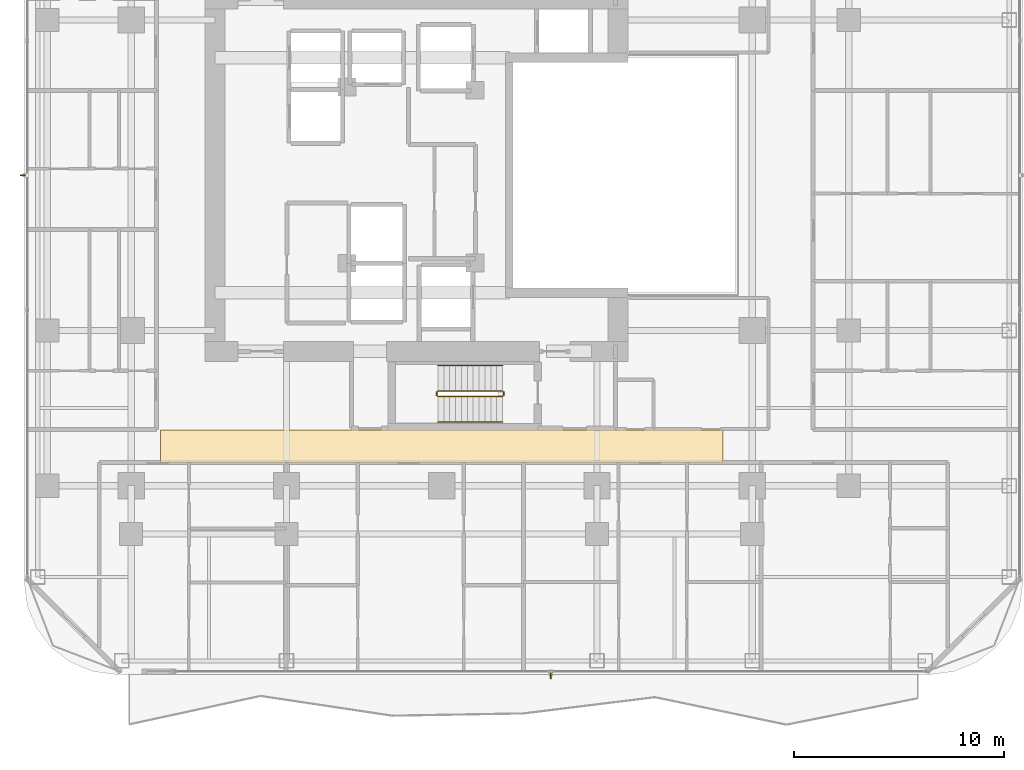
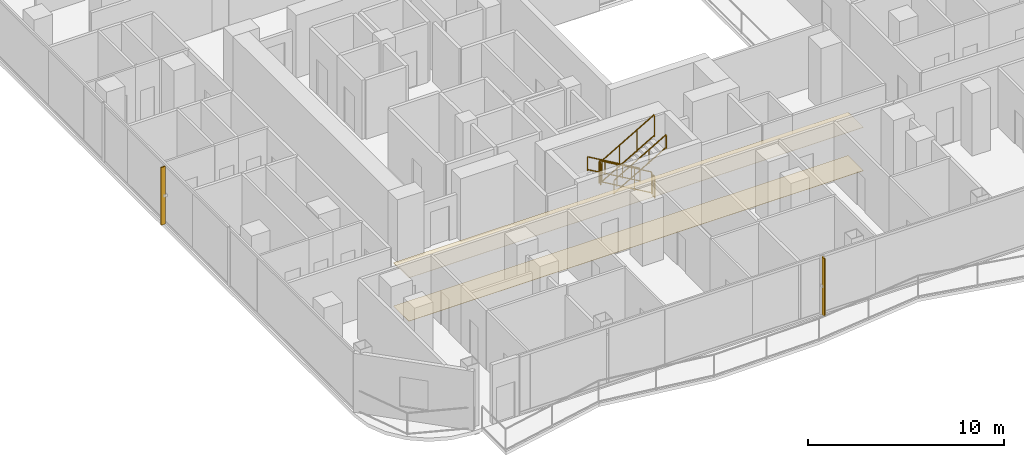
# One storey, part 25 of 29: 6 railings, 2 coverings, 2 shading devices.
"""IFC4 building model written with IfcOpenShell, lengths in metres."""

from ifc_helpers import new_model, si_unit, direction, frame, origin, origin_2d, place, context, subcontext, project, spatial, polyline, rectangle, outline, extrude, material, layer, layer_set, type_object, element, save


model = new_model("IFC4")

# Units and contexts
model_context = context("Model", 3, precision=1e-05, world=origin(), true_north=direction((0.0, 1.0)))
body_context = subcontext(model_context, "Body", "Model", "MODEL_VIEW")
ifc_project = project(units=[si_unit("LENGTHUNIT", "METRE"), si_unit("AREAUNIT", "SQUARE_METRE"), si_unit("VOLUMEUNIT", "CUBIC_METRE"), si_unit("PLANEANGLEUNIT", "RADIAN"), si_unit("MASSUNIT", "GRAM", prefix="KILO")], contexts=[model_context])

# Site, building, storey
site_placement = place(None, origin())
site = spatial("IfcSite", under=ifc_project, at=site_placement, CompositionType="ELEMENT")
building_placement = place(site_placement, origin())
building = spatial("IfcBuilding", under=site, at=building_placement, Name="Khorvyn Point Tower", CompositionType="ELEMENT")
storey_placement = place(building_placement, frame((0.0, 0.0, 144.60009765625)))
storey = spatial("IfcBuildingStorey", under=building, at=storey_placement, Name="L36", CompositionType="ELEMENT", Elevation=144.60009765625)

# Shading devices
ifc_material_1 = material(Name="Pale anodised aluminium 6063-T6", Category="aluminium")
ifc_layer_1 = layer(ifc_material_1, 0.054931640625)
ifc_layer_set_1 = layer_set([ifc_layer_1], Name="Pale Anodised Aluminium FIN 260x55")
shading_device_type = type_object("IfcShadingDeviceType", Name="Pale Anodised Aluminium FIN 260x55", PredefinedType="USERDEFINED", material=ifc_layer_set_1)
for number, where, z_axis, x_axis, name in (
    (1, (5.1904296875, -23.8701171875, 0.039794921875), (0.0, 0.0, 1.0), (0.0, -1.0, 0.0), "L36 Anodised FIN 01"),
    (2, (-19.969970703125, 0.0, 0.039794921875), (0.0, 0.0, 1.0), (-1.0, 0.0, 0.0), "L36 Anodised FIN 01"),
):
    element("IfcShadingDevice", number, at=place(storey_placement, frame(where, z_axis=z_axis, x_axis=x_axis)), inside=storey, type_object=shading_device_type, Name=name, ObjectType="FIN", PredefinedType="USERDEFINED", context=body_context, shape_type="SweptSolid", body=[
        extrude(rectangle(XDim=0.260009765625, YDim=0.054931640625, at=origin_2d()), origin(), (0.0, 0.0, 1.0), 3.60009765625),
    ])

# Coverings
ifc_material_2 = material(Name="Mineral-fibre acoustic ceiling board", Category="gypsum")
ifc_layer_2 = layer(ifc_material_2, 0.02001953125)
ifc_layer_set_2 = layer_set([ifc_layer_2], Name="Perforated Mineral-Fibre Acoustic Suspended Ceiling 20")
covering_type_1 = type_object("IfcCoveringType", Name="Perforated Mineral-Fibre Acoustic Suspended Ceiling 20", PredefinedType="CEILING", material=ifc_layer_set_2)
covering_1_placement = place(storey_placement, frame((0.0, 0.0, 2.699951171875)))
element("IfcCovering", 3, at=covering_1_placement, inside=storey, type_object=covering_type_1, Name="L36 South Corridor Acoustic Ceiling", PredefinedType="CEILING", context=body_context, shape_type="SweptSolid", body=[
    extrude(outline(polyline([(-13.39990234375, -13.7099609375), (13.39990234375, -13.7099609375), (13.39990234375, -12.139892578125), (-13.39990234375, -12.139892578125), (-13.39990234375, -13.7099609375)])), origin(), (0.0, 0.0, 1.0), 0.02001953125),
])
ifc_material_3 = material(Name="Vitrified porcelain terrazzo tile", Category="ceramic")
ifc_layer_3 = layer(ifc_material_3, 0.01806640625)
ifc_layer_set_3 = layer_set([ifc_layer_3], Name="Porcelain Terrazzo Corridor Floor Finish Tile 18")
covering_type_2 = type_object("IfcCoveringType", Name="Porcelain Terrazzo Corridor Floor Finish Tile 18", PredefinedType="FLOORING", material=ifc_layer_set_3)
covering_2_placement = place(storey_placement, origin())
element("IfcCovering", 4, at=covering_2_placement, inside=storey, type_object=covering_type_2, Name="L36 South Corridor Terrazzo Flooring", PredefinedType="FLOORING", context=body_context, shape_type="SweptSolid", body=[
    extrude(outline(polyline([(-13.39990234375, -13.7099609375), (13.39990234375, -13.7099609375), (13.39990234375, -12.139892578125), (-13.39990234375, -12.139892578125), (-13.39990234375, -13.7099609375)])), origin(), (0.0, 0.0, 1.0), 0.017822265625),
])

# Railings
ifc_material_4 = material(Name="Stainless steel 1.4301", Category="steel")
railing_type_1 = type_object("IfcRailingType", Name="Stainless Steel 304 Stair Pitch Handrail 900", PredefinedType="HANDRAIL", material=ifc_material_4)
railing_1_placement = place(storey_placement, frame((2.89990234375, -9.070068359375, 0.162353515625)))
element("IfcRailing", 5, at=railing_1_placement, inside=storey, type_object=railing_type_1, Name="L36 ST-01 stair handrail 1", PredefinedType="HANDRAIL", context=body_context, shape_type="SweptSolid", body=[
    extrude(rectangle(XDim=0.048095703125, YDim=0.048095703125, at=origin_2d()), frame((0.0, 0.0, 0.8759765625), z_axis=(-0.864873446163, 0.0, 0.501989962173), x_axis=(0.0, -1.0, 0.0)), (0.0, 0.0, 1.0), 3.56103515625),
    extrude(rectangle(XDim=0.048095703125, YDim=0.048095703125, at=origin_2d()), frame((0.0, 0.0, 0.080078125), z_axis=(-0.864873446163, 0.0, 0.501989962173), x_axis=(0.0, -1.0, 0.0)), (0.0, 0.0, 1.0), 3.56103515625),
    extrude(rectangle(XDim=0.0419921875, YDim=0.0419921875, at=origin_2d()), origin(), (0.0, 0.0, 1.0), 0.851806640625),
    extrude(rectangle(XDim=0.0419921875, YDim=0.0419921875, at=origin_2d()), frame((-1.026611328125, 0.0, 0.595947265625)), (0.0, 0.0, 1.0), 0.851806640625),
    extrude(rectangle(XDim=0.0419921875, YDim=0.0419921875, at=origin_2d()), frame((-2.05322265625, 0.0, 1.191650390625)), (0.0, 0.0, 1.0), 0.851806640625),
    extrude(rectangle(XDim=0.0419921875, YDim=0.0419921875, at=origin_2d()), frame((-3.079833984375, 0.0, 1.78759765625)), (0.0, 0.0, 1.0), 0.851806640625),
])
railing_2_placement = place(storey_placement, frame((-0.179931640625, -11.77001953125, 2.1123046875)))
element("IfcRailing", 6, at=railing_2_placement, inside=storey, type_object=railing_type_1, Name="L36 ST-01 stair handrail 2", PredefinedType="HANDRAIL", context=body_context, shape_type="SweptSolid", body=[
    extrude(rectangle(XDim=0.048095703125, YDim=0.048095703125, at=origin_2d()), frame((0.0, 0.0, 0.8759765625), z_axis=(0.864873446163, 0.0, 0.501989962173), x_axis=(0.0, 1.0, 0.0)), (0.0, 0.0, 1.0), 3.56103515625),
    extrude(rectangle(XDim=0.048095703125, YDim=0.048095703125, at=origin_2d()), frame((0.0, 0.0, 0.080078125), z_axis=(0.864873446163, 0.0, 0.501989962173), x_axis=(0.0, 1.0, 0.0)), (0.0, 0.0, 1.0), 3.56103515625),
    extrude(rectangle(XDim=0.0419921875, YDim=0.0419921875, at=origin_2d()), origin(), (0.0, 0.0, 1.0), 0.851806640625),
    extrude(rectangle(XDim=0.0419921875, YDim=0.0419921875, at=origin_2d()), frame((1.026611328125, 0.0, 0.595947265625)), (0.0, 0.0, 1.0), 0.851806640625),
    extrude(rectangle(XDim=0.0419921875, YDim=0.0419921875, at=origin_2d()), frame((2.05322265625, 0.0, 1.191650390625)), (0.0, 0.0, 1.0), 0.851806640625),
    extrude(rectangle(XDim=0.0419921875, YDim=0.0419921875, at=origin_2d()), frame((3.079833984375, 0.0, 1.78759765625)), (0.0, 0.0, 1.0), 0.851806640625),
])
railing_type_2 = type_object("IfcRailingType", Name="Stainless Steel 304 Stair Well Guardrail 1400", PredefinedType="GUARDRAIL", material=ifc_material_4)
railing_3_placement = place(storey_placement, frame((2.89990234375, -10.2900390625, 0.162353515625)))
element("IfcRailing", 7, at=railing_3_placement, inside=storey, type_object=railing_type_2, Name="L36 ST-01 stair guard 1", PredefinedType="GUARDRAIL", context=body_context, shape_type="SweptSolid", body=[
    extrude(rectangle(XDim=0.048095703125, YDim=0.048095703125, at=origin_2d()), frame((0.0, 0.0, 1.3759765625), z_axis=(-0.864873446163, 0.0, 0.501989962173), x_axis=(0.0, -1.0, 0.0)), (0.0, 0.0, 1.0), 3.56103515625),
    extrude(rectangle(XDim=0.048095703125, YDim=0.048095703125, at=origin_2d()), frame((0.0, 0.0, 0.080078125), z_axis=(-0.864873446163, 0.0, 0.501989962173), x_axis=(0.0, -1.0, 0.0)), (0.0, 0.0, 1.0), 3.56103515625),
    extrude(rectangle(XDim=0.0419921875, YDim=0.0419921875, at=origin_2d()), origin(), (0.0, 0.0, 1.0), 1.351806640625),
    extrude(rectangle(XDim=0.0419921875, YDim=0.0419921875, at=origin_2d()), frame((-1.026611328125, 0.0, 0.595947265625)), (0.0, 0.0, 1.0), 1.351806640625),
    extrude(rectangle(XDim=0.0419921875, YDim=0.0419921875, at=origin_2d()), frame((-2.05322265625, 0.0, 1.191650390625)), (0.0, 0.0, 1.0), 1.351806640625),
    extrude(rectangle(XDim=0.0419921875, YDim=0.0419921875, at=origin_2d()), frame((-3.079833984375, 0.0, 1.78759765625)), (0.0, 0.0, 1.0), 1.351806640625),
])
railing_4_placement = place(storey_placement, frame((-0.22998046875, -10.340087890625, 1.949951171875)))
element("IfcRailing", 8, at=railing_4_placement, inside=storey, type_object=railing_type_2, Name="L36 ST-01 stair guard 2", PredefinedType="GUARDRAIL", context=body_context, shape_type="SweptSolid", body=[
    extrude(rectangle(XDim=0.048095703125, YDim=0.048095703125, at=origin_2d()), frame((0.0, 0.0, 1.3759765625), z_axis=(0.0, -1.0, 0.0), x_axis=(1.0, 0.0, 0.0)), (0.0, 0.0, 1.0), 0.159912109375),
    extrude(rectangle(XDim=0.048095703125, YDim=0.048095703125, at=origin_2d()), frame((0.0, 0.0, 0.080078125), z_axis=(0.0, -1.0, 0.0), x_axis=(1.0, 0.0, 0.0)), (0.0, 0.0, 1.0), 0.159912109375),
    extrude(rectangle(XDim=0.0419921875, YDim=0.0419921875, at=origin_2d()), origin(), (0.0, 0.0, 1.0), 1.351806640625),
    extrude(rectangle(XDim=0.0419921875, YDim=0.0419921875, at=origin_2d()), frame((0.0, -0.159912109375, 0.0)), (0.0, 0.0, 1.0), 1.351806640625),
])
railing_5_placement = place(storey_placement, frame((-0.179931640625, -10.550048828125, 2.1123046875)))
element("IfcRailing", 9, at=railing_5_placement, inside=storey, type_object=railing_type_2, Name="L36 ST-01 stair guard 3", PredefinedType="GUARDRAIL", context=body_context, shape_type="SweptSolid", body=[
    extrude(rectangle(XDim=0.048095703125, YDim=0.048095703125, at=origin_2d()), frame((0.0, 0.0, 1.3759765625), z_axis=(0.864873446163, 0.0, 0.501989962173), x_axis=(0.0, 1.0, 0.0)), (0.0, 0.0, 1.0), 3.56103515625),
    extrude(rectangle(XDim=0.048095703125, YDim=0.048095703125, at=origin_2d()), frame((0.0, 0.0, 0.080078125), z_axis=(0.864873446163, 0.0, 0.501989962173), x_axis=(0.0, 1.0, 0.0)), (0.0, 0.0, 1.0), 3.56103515625),
    extrude(rectangle(XDim=0.0419921875, YDim=0.0419921875, at=origin_2d()), origin(), (0.0, 0.0, 1.0), 1.351806640625),
    extrude(rectangle(XDim=0.0419921875, YDim=0.0419921875, at=origin_2d()), frame((1.026611328125, 0.0, 0.595947265625)), (0.0, 0.0, 1.0), 1.351806640625),
    extrude(rectangle(XDim=0.0419921875, YDim=0.0419921875, at=origin_2d()), frame((2.05322265625, 0.0, 1.191650390625)), (0.0, 0.0, 1.0), 1.351806640625),
    extrude(rectangle(XDim=0.0419921875, YDim=0.0419921875, at=origin_2d()), frame((3.079833984375, 0.0, 1.78759765625)), (0.0, 0.0, 1.0), 1.351806640625),
])
railing_6_placement = place(storey_placement, frame((2.949951171875, -10.340087890625, 0.0)))
element("IfcRailing", 10, at=railing_6_placement, inside=storey, type_object=railing_type_2, Name="L36 ST-01 stair guard 4", PredefinedType="GUARDRAIL", context=body_context, shape_type="SweptSolid", body=[
    extrude(rectangle(XDim=0.048095703125, YDim=0.048095703125, at=origin_2d()), frame((0.0, 0.0, 1.3759765625), z_axis=(0.0, -1.0, 0.0), x_axis=(1.0, 0.0, 0.0)), (0.0, 0.0, 1.0), 0.159912109375),
    extrude(rectangle(XDim=0.048095703125, YDim=0.048095703125, at=origin_2d()), frame((0.0, 0.0, 0.080078125), z_axis=(0.0, -1.0, 0.0), x_axis=(1.0, 0.0, 0.0)), (0.0, 0.0, 1.0), 0.159912109375),
    extrude(rectangle(XDim=0.0419921875, YDim=0.0419921875, at=origin_2d()), origin(), (0.0, 0.0, 1.0), 1.351806640625),
    extrude(rectangle(XDim=0.0419921875, YDim=0.0419921875, at=origin_2d()), frame((0.0, -0.159912109375, 0.0)), (0.0, 0.0, 1.0), 1.351806640625),
])

save(model, "model.ifc")
